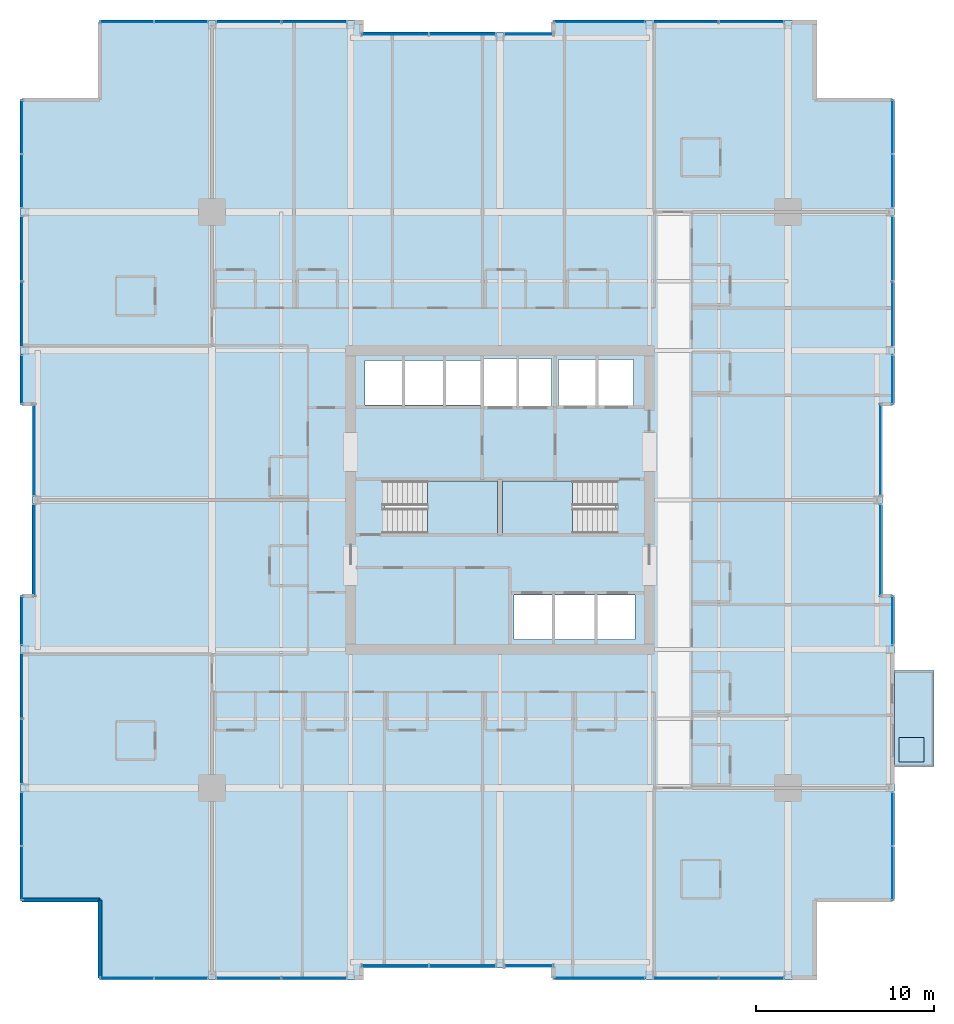
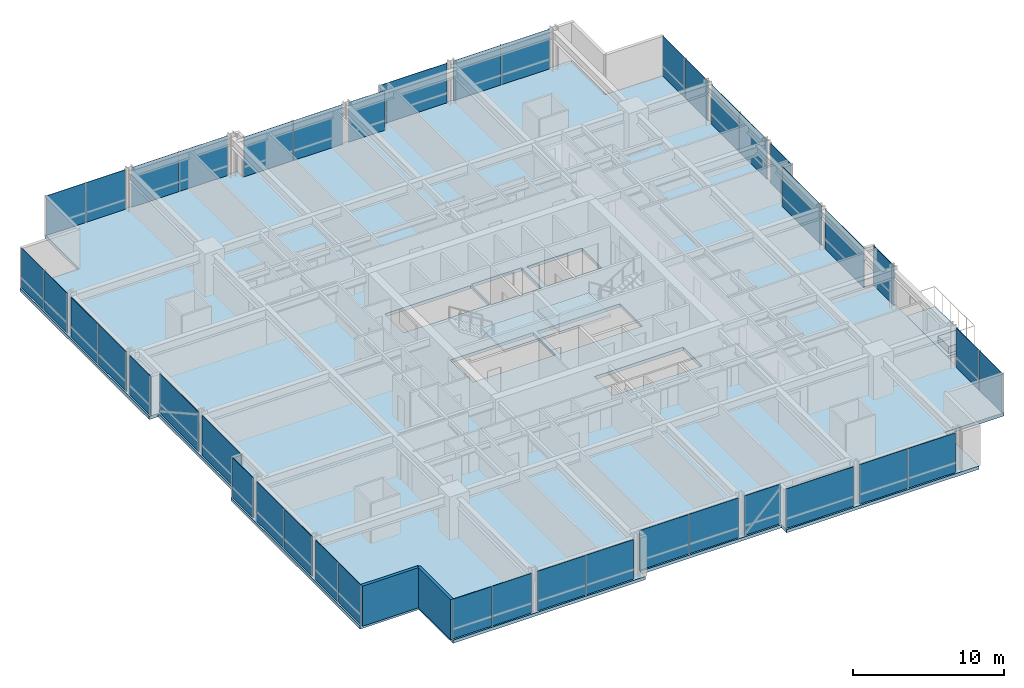
# One storey, part 27 of 35: 42 plates, 5 slabs, 2 walls, 29 elements without a shape of their own.
"""IFC4 building model written with IfcOpenShell, lengths in metres."""

from ifc_helpers import new_model, si_unit, direction, frame, frame_2d, origin, origin_2d, place, context, subcontext, project, spatial, polyline, rectangle, outline, extrude, material, layer, layer_set, type_object, element, aggregate, save


model = new_model("IFC4")

# Units and contexts
model_context = context("Model", 3, precision=1e-05, world=origin(), true_north=direction((0.0, 1.0)))
body_context = subcontext(model_context, "Body", "Model", "MODEL_VIEW")
ifc_project = project(units=[si_unit("LENGTHUNIT", "METRE"), si_unit("AREAUNIT", "SQUARE_METRE"), si_unit("VOLUMEUNIT", "CUBIC_METRE"), si_unit("PLANEANGLEUNIT", "RADIAN"), si_unit("MASSUNIT", "GRAM", prefix="KILO")], contexts=[model_context])

# Site, building, storey
site_placement = place(None, origin())
site = spatial("IfcSite", under=ifc_project, at=site_placement, CompositionType="ELEMENT")
building_placement = place(site_placement, origin())
building = spatial("IfcBuilding", under=site, at=building_placement, Name="Drelvath Grand Hotel", CompositionType="ELEMENT")
storey_placement = place(building_placement, frame((0.0, 0.0, 95.300048828125)))
storey = spatial("IfcBuildingStorey", under=building, at=storey_placement, Name="L23", CompositionType="ELEMENT", Elevation=95.300048828125)

# Slabs
ifc_material_1 = material(Name="Concrete f'c 40 MPa", Category="concrete")
ifc_layer_1 = layer(ifc_material_1, 0.239990234375)
ifc_layer_set_1 = layer_set([ifc_layer_1], Name="Concrete f'c 40 MPa")
slab_type_1 = type_object("IfcSlabType", Name="Cantilevered Tree Balcony Slab 240", PredefinedType="FLOOR", material=ifc_layer_set_1)
slab_1_placement = place(storey_placement, frame((0.0, 0.0, -0.239990234375)))
element("IfcSlab", 1, at=slab_1_placement, inside=storey, type_object=slab_type_1, Name="L23 Cantilevered Tree Balcony Slab 1", PredefinedType="FLOOR", context=body_context, shape_type="SweptSolid", body=[
    extrude(outline(polyline([(22.199951171875, 12.0), (24.39990234375, 12.0), (24.39990234375, 17.39990234375), (22.199951171875, 17.39990234375), (22.199951171875, 12.0)])), origin(), (0.0, 0.0, 1.0), 0.239990234375),
])
ifc_layer_2 = layer(ifc_material_1, 0.260009765625)
ifc_layer_set_2 = layer_set([ifc_layer_2], Name="Concrete f'c 40 MPa")
slab_type_2 = type_object("IfcSlabType", Name="Composite RC Floor Slab 260", PredefinedType="FLOOR", material=ifc_layer_set_2)
slab_2_placement = place(storey_placement, frame((0.0, 0.0, -0.260009765625)))
element("IfcSlab", 2, at=slab_2_placement, inside=storey, type_object=slab_type_2, Name="L23 Structural Floor Slab", PredefinedType="FLOOR", context=body_context, shape_type="SweptSolid", body=[
    extrude(outline(polyline([(-22.5, 0.0), (-7.800048828125, 0.0), (-7.800048828125, 0.679931640625), (3.0, 0.679931640625), (3.0, 0.0), (17.699951171875, 0.0), (17.699951171875, 4.5), (22.199951171875, 4.5), (22.199951171875, 21.60009765625), (21.52001953125, 21.60009765625), (21.52001953125, 32.39990234375), (22.199951171875, 32.39990234375), (22.199951171875, 49.5), (17.699951171875, 49.5), (17.699951171875, 54.0), (3.0, 54.0), (3.0, 53.320068359375), (-7.800048828125, 53.320068359375), (-7.800048828125, 54.0), (-22.5, 54.0), (-22.5, 49.5), (-27.0, 49.5), (-27.0, 32.39990234375), (-26.320068359375, 32.39990234375), (-26.320068359375, 21.60009765625), (-27.0, 21.60009765625), (-27.0, 4.5), (-22.5, 4.5), (-22.5, 0.0)]), holes=[polyline([(-6.47998046875, 25.1201171875), (-6.47998046875, 28.080078125), (-0.14990234375, 28.080078125), (-0.14990234375, 25.1201171875), (-6.47998046875, 25.1201171875)]), polyline([(0.14990234375, 25.1201171875), (0.14990234375, 28.080078125), (6.47998046875, 28.080078125), (6.47998046875, 25.1201171875), (0.14990234375, 25.1201171875)]), polyline([(0.800048828125, 19.14990234375), (0.800048828125, 21.64990234375), (7.60009765625, 21.64990234375), (7.60009765625, 19.14990234375), (0.800048828125, 19.14990234375)]), polyline([(-7.60009765625, 32.35009765625), (-7.60009765625, 34.85009765625), (-1.02001953125, 34.85009765625), (-1.02001953125, 32.35009765625), (-7.60009765625, 32.35009765625)]), polyline([(-0.89990234375, 32.25), (-0.89990234375, 34.949951171875), (2.89990234375, 34.949951171875), (2.89990234375, 32.25), (-0.89990234375, 32.25)]), polyline([(3.300048828125, 32.300048828125), (3.300048828125, 34.89990234375), (7.5, 34.89990234375), (7.5, 32.300048828125), (3.300048828125, 32.300048828125)])]), origin(), (0.0, 0.0, 1.0), 0.260009765625),
])

# Stair, slab
ifc_material_2 = material(Name="Concrete C40/50", Category="concrete")
stair_type = type_object("IfcStairType", Name="Dogleg Exit Stair W1400-R175.0", PredefinedType="HALF_TURN_STAIR", material=ifc_material_2)
stair_1_placement = place(storey_placement, origin())
stair_1 = element("IfcStair", 3, at=stair_1_placement, inside=storey, type_object=stair_type, Name="L23 Core Exit Stair ST-1", PredefinedType="HALF_TURN_STAIR")
ifc_layer_3 = layer(ifc_material_2, 0.199951171875)
ifc_layer_set_3 = layer_set([ifc_layer_3], Name="Concrete C40/50")
slab_type_3 = type_object("IfcSlabType", Name="Concrete Stair Landing Slab 200", PredefinedType="LANDING", material=ifc_layer_set_3)
slab_3_placement = place(storey_placement, frame((0.0, 0.0, 1.550048828125)))
slab_3 = element("IfcSlab", 4, at=slab_3_placement, type_object=slab_type_3, Name="ST-1 landing 1", PredefinedType="LANDING", context=body_context, shape_type="SweptSolid", body=[
    extrude(outline(polyline([(-4.080078125, 25.1201171875), (-0.14990234375, 25.1201171875), (-0.14990234375, 28.080078125), (-4.080078125, 28.080078125), (-4.080078125, 25.1201171875)])), origin(), (0.0, 0.0, 1.0), 0.199951171875),
])
aggregate(stair_1, [slab_3])

stair_2_placement = place(storey_placement, origin())
stair_2 = element("IfcStair", 5, at=stair_2_placement, inside=storey, type_object=stair_type, Name="L23 Core Exit Stair ST-2", PredefinedType="HALF_TURN_STAIR")
slab_4_placement = place(storey_placement, frame((0.0, 0.0, 1.550048828125)))
slab_4 = element("IfcSlab", 6, at=slab_4_placement, type_object=slab_type_3, Name="ST-2 landing 1", PredefinedType="LANDING", context=body_context, shape_type="SweptSolid", body=[
    extrude(outline(polyline([(4.080078125, 28.080078125), (0.14990234375, 28.080078125), (0.14990234375, 25.1201171875), (4.080078125, 25.1201171875), (4.080078125, 28.080078125)])), origin(), (0.0, 0.0, 1.0), 0.199951171875),
])
aggregate(stair_2, [slab_4])

# Curtain wall, plates
ifc_material_3 = material(Name="Champagne Bronze Anodised Aluminium Frame", Category="aluminium")
ifc_layer_4 = layer(ifc_material_3, 0.199951171875)
ifc_layer_set_4 = layer_set([ifc_layer_4], Name="Champagne Bronze Anodised Aluminium Frame")
curtain_wall_type = type_object("IfcCurtainWallType", Name="Stick Curtain Wall CW-03 Champagne Bronze Mid-Rise", PredefinedType="NOTDEFINED", material=ifc_layer_set_4)
curtain_wall_1_placement = place(storey_placement, origin())
curtain_wall_1 = element("IfcCurtainWall", 7, at=curtain_wall_1_placement, inside=storey, type_object=curtain_wall_type, Name="L23 CW-03 Curtain Wall CW03-L23-WS1", PredefinedType="NOTDEFINED")
ifc_material_4 = material(Name="Low-E Triple Silver Vision Glass Neutral", Category="glass")
ifc_layer_5 = layer(ifc_material_4, 0.035888671875)
ifc_layer_set_5 = layer_set([ifc_layer_5], Name="Low-E Triple Silver Vision Glass Neutral")
plate_type = type_object("IfcPlateType", Name="Curtain Wall Vision Panel CW-03 36mm", PredefinedType="CURTAIN_PANEL", material=ifc_layer_set_5)
plate_1_placement = place(storey_placement, frame((-26.8798828125, 6.02001953125, 0.02001953125), z_axis=(0.0, 0.0, 1.0), x_axis=(0.0, 1.0, 0.0)))
plate_1 = element("IfcPlate", 8, at=plate_1_placement, type_object=plate_type, Name="CW03-L23-WS1 Glazed Panel 1", PredefinedType="CURTAIN_PANEL", context=body_context, shape_type="SweptSolid", body=[
    extrude(rectangle(XDim=3.000244140625, YDim=0.035888671875, at=origin_2d()), origin(), (0.0, 0.0, 1.0), 3.199951171875),
])
plate_2_placement = place(storey_placement, frame((-26.8798828125, 9.060302734375, 0.02001953125), z_axis=(0.0, 0.0, 1.0), x_axis=(0.0, 1.0, 0.0)))
plate_2 = element("IfcPlate", 9, at=plate_2_placement, type_object=plate_type, Name="CW03-L23-WS1 Glazed Panel 2", PredefinedType="CURTAIN_PANEL", context=body_context, shape_type="SweptSolid", body=[
    extrude(rectangle(XDim=3.000244140625, YDim=0.035888671875, at=origin_2d()), origin(), (0.0, 0.0, 1.0), 3.199951171875),
])
aggregate(curtain_wall_1, [plate_1, plate_2])

curtain_wall_2_placement = place(storey_placement, origin())
curtain_wall_2 = element("IfcCurtainWall", 10, at=curtain_wall_2_placement, inside=storey, type_object=curtain_wall_type, Name="L23 CW-03 Curtain Wall CW03-L23-WS2", PredefinedType="NOTDEFINED")
plate_3_placement = place(storey_placement, frame((-26.8798828125, 12.85986328125, 0.02001953125), z_axis=(0.0, 0.0, 1.0), x_axis=(0.0, 1.0, 0.0)))
plate_3 = element("IfcPlate", 11, at=plate_3_placement, type_object=plate_type, Name="CW03-L23-WS2 Glazed Panel 1", PredefinedType="CURTAIN_PANEL", context=body_context, shape_type="SweptSolid", body=[
    extrude(rectangle(XDim=3.640380859375, YDim=0.035888671875, at=origin_2d()), origin(), (0.0, 0.0, 1.0), 3.199951171875),
])
plate_4_placement = place(storey_placement, frame((-26.8798828125, 16.540283203125, 0.02001953125), z_axis=(0.0, 0.0, 1.0), x_axis=(0.0, 1.0, 0.0)))
plate_4 = element("IfcPlate", 12, at=plate_4_placement, type_object=plate_type, Name="CW03-L23-WS2 Glazed Panel 2", PredefinedType="CURTAIN_PANEL", context=body_context, shape_type="SweptSolid", body=[
    extrude(rectangle(XDim=3.640380859375, YDim=0.035888671875, at=origin_2d()), origin(), (0.0, 0.0, 1.0), 3.199951171875),
])
aggregate(curtain_wall_2, [plate_3, plate_4])

# Curtain wall, plate
curtain_wall_3_placement = place(storey_placement, origin())
curtain_wall_3 = element("IfcCurtainWall", 13, at=curtain_wall_3_placement, inside=storey, type_object=curtain_wall_type, Name="L23 CW-03 Curtain Wall CW03-L23-WS3", PredefinedType="NOTDEFINED")
plate_5_placement = place(storey_placement, frame((-26.8798828125, 20.209716796875, 0.02001953125), z_axis=(0.0, 0.0, 1.0), x_axis=(0.0, 1.0, 0.0)))
plate_5 = element("IfcPlate", 14, at=plate_5_placement, type_object=plate_type, Name="CW03-L23-WS3 Glazed Panel 1", PredefinedType="CURTAIN_PANEL", context=body_context, shape_type="SweptSolid", body=[
    extrude(rectangle(XDim=2.740478515625, YDim=0.035888671875, at=origin_2d()), origin(), (0.0, 0.0, 1.0), 3.199951171875),
])
aggregate(curtain_wall_3, [plate_5])

curtain_wall_4_placement = place(storey_placement, origin())
curtain_wall_4 = element("IfcCurtainWall", 15, at=curtain_wall_4_placement, inside=storey, type_object=curtain_wall_type, Name="L23 CW-03 Curtain Wall CW03-L23-WM1", PredefinedType="NOTDEFINED")
plate_6_placement = place(storey_placement, frame((-26.199951171875, 24.190185546875, 0.02001953125), z_axis=(0.0, 0.0, 1.0), x_axis=(0.0, 1.0, 0.0)))
plate_6 = element("IfcPlate", 16, at=plate_6_placement, type_object=plate_type, Name="CW03-L23-WM1 Glazed Panel 1", PredefinedType="CURTAIN_PANEL", context=body_context, shape_type="SweptSolid", body=[
    extrude(rectangle(XDim=5.140380859375, YDim=0.035888671875, at=origin_2d()), origin(), (0.0, 0.0, 1.0), 3.199951171875),
])
aggregate(curtain_wall_4, [plate_6])

curtain_wall_5_placement = place(storey_placement, origin())
curtain_wall_5 = element("IfcCurtainWall", 17, at=curtain_wall_5_placement, inside=storey, type_object=curtain_wall_type, Name="L23 CW-03 Curtain Wall CW03-L23-WM2", PredefinedType="NOTDEFINED")
plate_7_placement = place(storey_placement, frame((-26.199951171875, 29.809814453125, 0.02001953125), z_axis=(0.0, 0.0, 1.0), x_axis=(0.0, 1.0, 0.0)))
plate_7 = element("IfcPlate", 18, at=plate_7_placement, type_object=plate_type, Name="CW03-L23-WM2 Glazed Panel 1", PredefinedType="CURTAIN_PANEL", context=body_context, shape_type="SweptSolid", body=[
    extrude(rectangle(XDim=5.140380859375, YDim=0.035888671875, at=origin_2d()), origin(), (0.0, 0.0, 1.0), 3.199951171875),
])
aggregate(curtain_wall_5, [plate_7])

curtain_wall_6_placement = place(storey_placement, origin())
curtain_wall_6 = element("IfcCurtainWall", 19, at=curtain_wall_6_placement, inside=storey, type_object=curtain_wall_type, Name="L23 CW-03 Curtain Wall CW03-L23-WN1", PredefinedType="NOTDEFINED")
plate_8_placement = place(storey_placement, frame((-26.8798828125, 33.790283203125, 0.02001953125), z_axis=(0.0, 0.0, 1.0), x_axis=(0.0, 1.0, 0.0)))
plate_8 = element("IfcPlate", 20, at=plate_8_placement, type_object=plate_type, Name="CW03-L23-WN1 Glazed Panel 1", PredefinedType="CURTAIN_PANEL", context=body_context, shape_type="SweptSolid", body=[
    extrude(rectangle(XDim=2.740478515625, YDim=0.035888671875, at=origin_2d()), origin(), (0.0, 0.0, 1.0), 3.199951171875),
])
aggregate(curtain_wall_6, [plate_8])

# Curtain wall, plates
curtain_wall_7_placement = place(storey_placement, origin())
curtain_wall_7 = element("IfcCurtainWall", 21, at=curtain_wall_7_placement, inside=storey, type_object=curtain_wall_type, Name="L23 CW-03 Curtain Wall CW03-L23-WN2", PredefinedType="NOTDEFINED")
plate_9_placement = place(storey_placement, frame((-26.8798828125, 37.459716796875, 0.02001953125), z_axis=(0.0, 0.0, 1.0), x_axis=(0.0, 1.0, 0.0)))
plate_9 = element("IfcPlate", 22, at=plate_9_placement, type_object=plate_type, Name="CW03-L23-WN2 Glazed Panel 1", PredefinedType="CURTAIN_PANEL", context=body_context, shape_type="SweptSolid", body=[
    extrude(rectangle(XDim=3.640380859375, YDim=0.035888671875, at=origin_2d()), origin(), (0.0, 0.0, 1.0), 3.199951171875),
])
plate_10_placement = place(storey_placement, frame((-26.8798828125, 41.14013671875, 0.02001953125), z_axis=(0.0, 0.0, 1.0), x_axis=(0.0, 1.0, 0.0)))
plate_10 = element("IfcPlate", 23, at=plate_10_placement, type_object=plate_type, Name="CW03-L23-WN2 Glazed Panel 2", PredefinedType="CURTAIN_PANEL", context=body_context, shape_type="SweptSolid", body=[
    extrude(rectangle(XDim=3.640380859375, YDim=0.035888671875, at=origin_2d()), origin(), (0.0, 0.0, 1.0), 3.199951171875),
])
aggregate(curtain_wall_7, [plate_9, plate_10])

curtain_wall_8_placement = place(storey_placement, origin())
curtain_wall_8 = element("IfcCurtainWall", 24, at=curtain_wall_8_placement, inside=storey, type_object=curtain_wall_type, Name="L23 CW-03 Curtain Wall CW03-L23-WN3", PredefinedType="NOTDEFINED")
plate_11_placement = place(storey_placement, frame((-26.8798828125, 44.939697265625, 0.02001953125), z_axis=(0.0, 0.0, 1.0), x_axis=(0.0, 1.0, 0.0)))
plate_11 = element("IfcPlate", 25, at=plate_11_placement, type_object=plate_type, Name="CW03-L23-WN3 Glazed Panel 1", PredefinedType="CURTAIN_PANEL", context=body_context, shape_type="SweptSolid", body=[
    extrude(rectangle(XDim=3.000244140625, YDim=0.035888671875, at=origin_2d()), origin(), (0.0, 0.0, 1.0), 3.199951171875),
])
plate_12_placement = place(storey_placement, frame((-26.8798828125, 47.97998046875, 0.02001953125), z_axis=(0.0, 0.0, 1.0), x_axis=(0.0, 1.0, 0.0)))
plate_12 = element("IfcPlate", 26, at=plate_12_placement, type_object=plate_type, Name="CW03-L23-WN3 Glazed Panel 2", PredefinedType="CURTAIN_PANEL", context=body_context, shape_type="SweptSolid", body=[
    extrude(rectangle(XDim=3.000244140625, YDim=0.035888671875, at=origin_2d()), origin(), (0.0, 0.0, 1.0), 3.199951171875),
])
aggregate(curtain_wall_8, [plate_11, plate_12])

# Curtain wall, plate
curtain_wall_9_placement = place(storey_placement, origin())
curtain_wall_9 = element("IfcCurtainWall", 27, at=curtain_wall_9_placement, inside=storey, type_object=curtain_wall_type, Name="L23 CW-03 Curtain Wall CW03-L23-EN1", PredefinedType="NOTDEFINED")
plate_13_placement = place(storey_placement, frame((22.080078125, 33.790283203125, 0.02001953125), z_axis=(0.0, 0.0, 1.0), x_axis=(0.0, -1.0, 0.0)))
plate_13 = element("IfcPlate", 28, at=plate_13_placement, type_object=plate_type, Name="CW03-L23-EN1 Glazed Panel 1", PredefinedType="CURTAIN_PANEL", context=body_context, shape_type="SweptSolid", body=[
    extrude(rectangle(XDim=2.740478515625, YDim=0.035888671875, at=origin_2d()), origin(), (0.0, 0.0, 1.0), 3.199951171875),
])
aggregate(curtain_wall_9, [plate_13])

# Curtain wall, plates
curtain_wall_10_placement = place(storey_placement, origin())
curtain_wall_10 = element("IfcCurtainWall", 29, at=curtain_wall_10_placement, inside=storey, type_object=curtain_wall_type, Name="L23 CW-03 Curtain Wall CW03-L23-EN2", PredefinedType="NOTDEFINED")
plate_14_placement = place(storey_placement, frame((22.080078125, 41.14013671875, 0.02001953125), z_axis=(0.0, 0.0, 1.0), x_axis=(0.0, -1.0, 0.0)))
plate_14 = element("IfcPlate", 30, at=plate_14_placement, type_object=plate_type, Name="CW03-L23-EN2 Glazed Panel 1", PredefinedType="CURTAIN_PANEL", context=body_context, shape_type="SweptSolid", body=[
    extrude(rectangle(XDim=3.640380859375, YDim=0.035888671875, at=origin_2d()), origin(), (0.0, 0.0, 1.0), 3.199951171875),
])
plate_15_placement = place(storey_placement, frame((22.080078125, 37.459716796875, 0.02001953125), z_axis=(0.0, 0.0, 1.0), x_axis=(0.0, -1.0, 0.0)))
plate_15 = element("IfcPlate", 31, at=plate_15_placement, type_object=plate_type, Name="CW03-L23-EN2 Glazed Panel 2", PredefinedType="CURTAIN_PANEL", context=body_context, shape_type="SweptSolid", body=[
    extrude(rectangle(XDim=3.640380859375, YDim=0.035888671875, at=origin_2d()), origin(), (0.0, 0.0, 1.0), 3.199951171875),
])
aggregate(curtain_wall_10, [plate_14, plate_15])

curtain_wall_11_placement = place(storey_placement, origin())
curtain_wall_11 = element("IfcCurtainWall", 32, at=curtain_wall_11_placement, inside=storey, type_object=curtain_wall_type, Name="L23 CW-03 Curtain Wall CW03-L23-EN3", PredefinedType="NOTDEFINED")
plate_16_placement = place(storey_placement, frame((22.080078125, 47.97998046875, 0.02001953125), z_axis=(0.0, 0.0, 1.0), x_axis=(0.0, -1.0, 0.0)))
plate_16 = element("IfcPlate", 33, at=plate_16_placement, type_object=plate_type, Name="CW03-L23-EN3 Glazed Panel 1", PredefinedType="CURTAIN_PANEL", context=body_context, shape_type="SweptSolid", body=[
    extrude(rectangle(XDim=3.000244140625, YDim=0.035888671875, at=origin_2d()), origin(), (0.0, 0.0, 1.0), 3.199951171875),
])
plate_17_placement = place(storey_placement, frame((22.080078125, 44.939697265625, 0.02001953125), z_axis=(0.0, 0.0, 1.0), x_axis=(0.0, -1.0, 0.0)))
plate_17 = element("IfcPlate", 34, at=plate_17_placement, type_object=plate_type, Name="CW03-L23-EN3 Glazed Panel 2", PredefinedType="CURTAIN_PANEL", context=body_context, shape_type="SweptSolid", body=[
    extrude(rectangle(XDim=3.000244140625, YDim=0.035888671875, at=origin_2d()), origin(), (0.0, 0.0, 1.0), 3.199951171875),
])
aggregate(curtain_wall_11, [plate_16, plate_17])

# Curtain wall, plate
curtain_wall_12_placement = place(storey_placement, origin())
curtain_wall_12 = element("IfcCurtainWall", 35, at=curtain_wall_12_placement, inside=storey, type_object=curtain_wall_type, Name="L23 CW-03 Curtain Wall CW03-L23-EM1", PredefinedType="NOTDEFINED")
plate_18_placement = place(storey_placement, frame((21.39990234375, 24.190185546875, 0.02001953125), z_axis=(0.0, 0.0, 1.0), x_axis=(0.0, -1.0, 0.0)))
plate_18 = element("IfcPlate", 36, at=plate_18_placement, type_object=plate_type, Name="CW03-L23-EM1 Glazed Panel 1", PredefinedType="CURTAIN_PANEL", context=body_context, shape_type="SweptSolid", body=[
    extrude(rectangle(XDim=5.140380859375, YDim=0.035888671875, at=origin_2d()), origin(), (0.0, 0.0, 1.0), 3.199951171875),
])
aggregate(curtain_wall_12, [plate_18])

curtain_wall_13_placement = place(storey_placement, origin())
curtain_wall_13 = element("IfcCurtainWall", 37, at=curtain_wall_13_placement, inside=storey, type_object=curtain_wall_type, Name="L23 CW-03 Curtain Wall CW03-L23-EM2", PredefinedType="NOTDEFINED")
plate_19_placement = place(storey_placement, frame((21.39990234375, 29.809814453125, 0.02001953125), z_axis=(0.0, 0.0, 1.0), x_axis=(0.0, -1.0, 0.0)))
plate_19 = element("IfcPlate", 38, at=plate_19_placement, type_object=plate_type, Name="CW03-L23-EM2 Glazed Panel 1", PredefinedType="CURTAIN_PANEL", context=body_context, shape_type="SweptSolid", body=[
    extrude(rectangle(XDim=5.140380859375, YDim=0.035888671875, at=origin_2d()), origin(), (0.0, 0.0, 1.0), 3.199951171875),
])
aggregate(curtain_wall_13, [plate_19])

# Curtain wall, plates
curtain_wall_14_placement = place(storey_placement, origin())
curtain_wall_14 = element("IfcCurtainWall", 39, at=curtain_wall_14_placement, inside=storey, type_object=curtain_wall_type, Name="L23 CW-03 Curtain Wall CW03-L23-ES1", PredefinedType="NOTDEFINED")
plate_20_placement = place(storey_placement, frame((22.080078125, 9.060302734375, 0.02001953125), z_axis=(0.0, 0.0, 1.0), x_axis=(0.0, -1.0, 0.0)))
plate_20 = element("IfcPlate", 40, at=plate_20_placement, type_object=plate_type, Name="CW03-L23-ES1 Glazed Panel 1", PredefinedType="CURTAIN_PANEL", context=body_context, shape_type="SweptSolid", body=[
    extrude(rectangle(XDim=3.000244140625, YDim=0.035888671875, at=origin_2d()), origin(), (0.0, 0.0, 1.0), 3.199951171875),
])
plate_21_placement = place(storey_placement, frame((22.080078125, 6.02001953125, 0.02001953125), z_axis=(0.0, 0.0, 1.0), x_axis=(0.0, -1.0, 0.0)))
plate_21 = element("IfcPlate", 41, at=plate_21_placement, type_object=plate_type, Name="CW03-L23-ES1 Glazed Panel 2", PredefinedType="CURTAIN_PANEL", context=body_context, shape_type="SweptSolid", body=[
    extrude(rectangle(XDim=3.000244140625, YDim=0.035888671875, at=origin_2d()), origin(), (0.0, 0.0, 1.0), 3.199951171875),
])
aggregate(curtain_wall_14, [plate_20, plate_21])

# Curtain wall, plate
curtain_wall_15_placement = place(storey_placement, origin())
curtain_wall_15 = element("IfcCurtainWall", 42, at=curtain_wall_15_placement, inside=storey, type_object=curtain_wall_type, Name="L23 CW-03 Curtain Wall CW03-L23-ES3", PredefinedType="NOTDEFINED")
plate_22_placement = place(storey_placement, frame((22.080078125, 20.209716796875, 0.02001953125), z_axis=(0.0, 0.0, 1.0), x_axis=(0.0, -1.0, 0.0)))
plate_22 = element("IfcPlate", 43, at=plate_22_placement, type_object=plate_type, Name="CW03-L23-ES3 Glazed Panel 1", PredefinedType="CURTAIN_PANEL", context=body_context, shape_type="SweptSolid", body=[
    extrude(rectangle(XDim=2.740478515625, YDim=0.035888671875, at=origin_2d()), origin(), (0.0, 0.0, 1.0), 3.199951171875),
])
aggregate(curtain_wall_15, [plate_22])

# Curtain wall, plates
curtain_wall_16_placement = place(storey_placement, origin())
curtain_wall_16 = element("IfcCurtainWall", 44, at=curtain_wall_16_placement, inside=storey, type_object=curtain_wall_type, Name="L23 CW-03 Curtain Wall CW03-L23-NW1", PredefinedType="NOTDEFINED")
plate_23_placement = place(storey_placement, frame((-20.97998046875, 53.8798828125, 0.02001953125), z_axis=(0.0, 0.0, 1.0), x_axis=(1.0, 0.0, 0.0)))
plate_23 = element("IfcPlate", 45, at=plate_23_placement, type_object=plate_type, Name="CW03-L23-NW1 Glazed Panel 1", PredefinedType="CURTAIN_PANEL", context=body_context, shape_type="SweptSolid", body=[
    extrude(rectangle(XDim=3.000244140625, YDim=0.035888671875, at=origin_2d()), origin(), (0.0, 0.0, 1.0), 3.199951171875),
])
plate_24_placement = place(storey_placement, frame((-17.939697265625, 53.8798828125, 0.02001953125), z_axis=(0.0, 0.0, 1.0), x_axis=(1.0, 0.0, 0.0)))
plate_24 = element("IfcPlate", 46, at=plate_24_placement, type_object=plate_type, Name="CW03-L23-NW1 Glazed Panel 2", PredefinedType="CURTAIN_PANEL", context=body_context, shape_type="SweptSolid", body=[
    extrude(rectangle(XDim=3.000244140625, YDim=0.035888671875, at=origin_2d()), origin(), (0.0, 0.0, 1.0), 3.199951171875),
])
aggregate(curtain_wall_16, [plate_23, plate_24])

curtain_wall_17_placement = place(storey_placement, origin())
curtain_wall_17 = element("IfcCurtainWall", 47, at=curtain_wall_17_placement, inside=storey, type_object=curtain_wall_type, Name="L23 CW-03 Curtain Wall CW03-L23-NW2", PredefinedType="NOTDEFINED")
plate_25_placement = place(storey_placement, frame((-14.14013671875, 53.8798828125, 0.02001953125), z_axis=(0.0, 0.0, 1.0), x_axis=(1.0, 0.0, 0.0)))
plate_25 = element("IfcPlate", 48, at=plate_25_placement, type_object=plate_type, Name="CW03-L23-NW2 Glazed Panel 1", PredefinedType="CURTAIN_PANEL", context=body_context, shape_type="SweptSolid", body=[
    extrude(rectangle(XDim=3.640380859375, YDim=0.035888671875, at=origin_2d()), origin(), (0.0, 0.0, 1.0), 3.199951171875),
])
plate_26_placement = place(storey_placement, frame((-10.459716796875, 53.8798828125, 0.02001953125), z_axis=(0.0, 0.0, 1.0), x_axis=(1.0, 0.0, 0.0)))
plate_26 = element("IfcPlate", 49, at=plate_26_placement, type_object=plate_type, Name="CW03-L23-NW2 Glazed Panel 2", PredefinedType="CURTAIN_PANEL", context=body_context, shape_type="SweptSolid", body=[
    extrude(rectangle(XDim=3.640380859375, YDim=0.035888671875, at=origin_2d()), origin(), (0.0, 0.0, 1.0), 3.199951171875),
])
aggregate(curtain_wall_17, [plate_25, plate_26])

curtain_wall_18_placement = place(storey_placement, origin())
curtain_wall_18 = element("IfcCurtainWall", 50, at=curtain_wall_18_placement, inside=storey, type_object=curtain_wall_type, Name="L23 CW-03 Curtain Wall CW03-L23-NM1", PredefinedType="NOTDEFINED")
plate_27_placement = place(storey_placement, frame((-5.90478515625, 53.199951171875, 0.02001953125), z_axis=(0.0, 0.0, 1.0), x_axis=(1.0, 0.0, 0.0)))
plate_27 = element("IfcPlate", 51, at=plate_27_placement, type_object=plate_type, Name="CW03-L23-NM1 Glazed Panel 1", PredefinedType="CURTAIN_PANEL", context=body_context, shape_type="SweptSolid", body=[
    extrude(rectangle(XDim=3.750244140625, YDim=0.035888671875, at=origin_2d()), origin(), (0.0, 0.0, 1.0), 3.199951171875),
])
plate_28_placement = place(storey_placement, frame((-2.11474609375, 53.199951171875, 0.02001953125), z_axis=(0.0, 0.0, 1.0), x_axis=(1.0, 0.0, 0.0)))
plate_28 = element("IfcPlate", 52, at=plate_28_placement, type_object=plate_type, Name="CW03-L23-NM1 Glazed Panel 2", PredefinedType="CURTAIN_PANEL", context=body_context, shape_type="SweptSolid", body=[
    extrude(rectangle(XDim=3.750244140625, YDim=0.035888671875, at=origin_2d()), origin(), (0.0, 0.0, 1.0), 3.199951171875),
])
aggregate(curtain_wall_18, [plate_27, plate_28])

# Curtain wall, plate
curtain_wall_19_placement = place(storey_placement, origin())
curtain_wall_19 = element("IfcCurtainWall", 53, at=curtain_wall_19_placement, inside=storey, type_object=curtain_wall_type, Name="L23 CW-03 Curtain Wall CW03-L23-NM2", PredefinedType="NOTDEFINED")
plate_29_placement = place(storey_placement, frame((1.60986328125, 53.199951171875, 0.02001953125), z_axis=(0.0, 0.0, 1.0), x_axis=(1.0, 0.0, 0.0)))
plate_29 = element("IfcPlate", 54, at=plate_29_placement, type_object=plate_type, Name="CW03-L23-NM2 Glazed Panel 1", PredefinedType="CURTAIN_PANEL", context=body_context, shape_type="SweptSolid", body=[
    extrude(rectangle(XDim=2.740478515625, YDim=0.035888671875, at=origin_2d()), origin(), (0.0, 0.0, 1.0), 3.199951171875),
])
aggregate(curtain_wall_19, [plate_29])

curtain_wall_20_placement = place(storey_placement, origin())
curtain_wall_20 = element("IfcCurtainWall", 55, at=curtain_wall_20_placement, inside=storey, type_object=curtain_wall_type, Name="L23 CW-03 Curtain Wall CW03-L23-NE1", PredefinedType="NOTDEFINED")
plate_30_placement = place(storey_placement, frame((5.590087890625, 53.8798828125, 0.02001953125), z_axis=(0.0, 0.0, 1.0), x_axis=(1.0, 0.0, 0.0)))
plate_30 = element("IfcPlate", 56, at=plate_30_placement, type_object=plate_type, Name="CW03-L23-NE1 Glazed Panel 1", PredefinedType="CURTAIN_PANEL", context=body_context, shape_type="SweptSolid", body=[
    extrude(rectangle(XDim=5.140380859375, YDim=0.035888671875, at=origin_2d()), origin(), (0.0, 0.0, 1.0), 3.199951171875),
])
aggregate(curtain_wall_20, [plate_30])

# Curtain wall, plates
curtain_wall_21_placement = place(storey_placement, origin())
curtain_wall_21 = element("IfcCurtainWall", 57, at=curtain_wall_21_placement, inside=storey, type_object=curtain_wall_type, Name="L23 CW-03 Curtain Wall CW03-L23-NE2", PredefinedType="NOTDEFINED")
plate_31_placement = place(storey_placement, frame((10.459716796875, 53.8798828125, 0.02001953125), z_axis=(0.0, 0.0, 1.0), x_axis=(1.0, 0.0, 0.0)))
plate_31 = element("IfcPlate", 58, at=plate_31_placement, type_object=plate_type, Name="CW03-L23-NE2 Glazed Panel 1", PredefinedType="CURTAIN_PANEL", context=body_context, shape_type="SweptSolid", body=[
    extrude(rectangle(XDim=3.640380859375, YDim=0.035888671875, at=origin_2d()), origin(), (0.0, 0.0, 1.0), 3.199951171875),
])
plate_32_placement = place(storey_placement, frame((14.14013671875, 53.8798828125, 0.02001953125), z_axis=(0.0, 0.0, 1.0), x_axis=(1.0, 0.0, 0.0)))
plate_32 = element("IfcPlate", 59, at=plate_32_placement, type_object=plate_type, Name="CW03-L23-NE2 Glazed Panel 2", PredefinedType="CURTAIN_PANEL", context=body_context, shape_type="SweptSolid", body=[
    extrude(rectangle(XDim=3.640380859375, YDim=0.035888671875, at=origin_2d()), origin(), (0.0, 0.0, 1.0), 3.199951171875),
])
aggregate(curtain_wall_21, [plate_31, plate_32])

# Curtain wall, plate
curtain_wall_22_placement = place(storey_placement, origin())
curtain_wall_22 = element("IfcCurtainWall", 60, at=curtain_wall_22_placement, inside=storey, type_object=curtain_wall_type, Name="L23 CW-03 Curtain Wall CW03-L23-SE1", PredefinedType="NOTDEFINED")
plate_33_placement = place(storey_placement, frame((5.590087890625, 0.1201171875, 0.02001953125), z_axis=(0.0, 0.0, 1.0), x_axis=(-1.0, 0.0, 0.0)))
plate_33 = element("IfcPlate", 61, at=plate_33_placement, type_object=plate_type, Name="CW03-L23-SE1 Glazed Panel 1", PredefinedType="CURTAIN_PANEL", context=body_context, shape_type="SweptSolid", body=[
    extrude(rectangle(XDim=5.140380859375, YDim=0.035888671875, at=origin_2d()), origin(), (0.0, 0.0, 1.0), 3.199951171875),
])
aggregate(curtain_wall_22, [plate_33])

# Curtain wall, plates
curtain_wall_23_placement = place(storey_placement, origin())
curtain_wall_23 = element("IfcCurtainWall", 62, at=curtain_wall_23_placement, inside=storey, type_object=curtain_wall_type, Name="L23 CW-03 Curtain Wall CW03-L23-SE2", PredefinedType="NOTDEFINED")
plate_34_placement = place(storey_placement, frame((14.14013671875, 0.1201171875, 0.02001953125), z_axis=(0.0, 0.0, 1.0), x_axis=(-1.0, 0.0, 0.0)))
plate_34 = element("IfcPlate", 63, at=plate_34_placement, type_object=plate_type, Name="CW03-L23-SE2 Glazed Panel 1", PredefinedType="CURTAIN_PANEL", context=body_context, shape_type="SweptSolid", body=[
    extrude(rectangle(XDim=3.640380859375, YDim=0.035888671875, at=origin_2d()), origin(), (0.0, 0.0, 1.0), 3.199951171875),
])
plate_35_placement = place(storey_placement, frame((10.459716796875, 0.1201171875, 0.02001953125), z_axis=(0.0, 0.0, 1.0), x_axis=(-1.0, 0.0, 0.0)))
plate_35 = element("IfcPlate", 64, at=plate_35_placement, type_object=plate_type, Name="CW03-L23-SE2 Glazed Panel 2", PredefinedType="CURTAIN_PANEL", context=body_context, shape_type="SweptSolid", body=[
    extrude(rectangle(XDim=3.640380859375, YDim=0.035888671875, at=origin_2d()), origin(), (0.0, 0.0, 1.0), 3.199951171875),
])
aggregate(curtain_wall_23, [plate_34, plate_35])

curtain_wall_24_placement = place(storey_placement, origin())
curtain_wall_24 = element("IfcCurtainWall", 65, at=curtain_wall_24_placement, inside=storey, type_object=curtain_wall_type, Name="L23 CW-03 Curtain Wall CW03-L23-SM1", PredefinedType="NOTDEFINED")
plate_36_placement = place(storey_placement, frame((-2.11474609375, 0.800048828125, 0.02001953125), z_axis=(0.0, 0.0, 1.0), x_axis=(-1.0, 0.0, 0.0)))
plate_36 = element("IfcPlate", 66, at=plate_36_placement, type_object=plate_type, Name="CW03-L23-SM1 Glazed Panel 1", PredefinedType="CURTAIN_PANEL", context=body_context, shape_type="SweptSolid", body=[
    extrude(rectangle(XDim=3.750244140625, YDim=0.035888671875, at=origin_2d()), origin(), (0.0, 0.0, 1.0), 3.199951171875),
])
plate_37_placement = place(storey_placement, frame((-5.90478515625, 0.800048828125, 0.02001953125), z_axis=(0.0, 0.0, 1.0), x_axis=(-1.0, 0.0, 0.0)))
plate_37 = element("IfcPlate", 67, at=plate_37_placement, type_object=plate_type, Name="CW03-L23-SM1 Glazed Panel 2", PredefinedType="CURTAIN_PANEL", context=body_context, shape_type="SweptSolid", body=[
    extrude(rectangle(XDim=3.750244140625, YDim=0.035888671875, at=origin_2d()), origin(), (0.0, 0.0, 1.0), 3.199951171875),
])
aggregate(curtain_wall_24, [plate_36, plate_37])

# Curtain wall, plate
curtain_wall_25_placement = place(storey_placement, origin())
curtain_wall_25 = element("IfcCurtainWall", 68, at=curtain_wall_25_placement, inside=storey, type_object=curtain_wall_type, Name="L23 CW-03 Curtain Wall CW03-L23-SM2", PredefinedType="NOTDEFINED")
plate_38_placement = place(storey_placement, frame((1.60986328125, 0.800048828125, 0.02001953125), z_axis=(0.0, 0.0, 1.0), x_axis=(-1.0, 0.0, 0.0)))
plate_38 = element("IfcPlate", 69, at=plate_38_placement, type_object=plate_type, Name="CW03-L23-SM2 Glazed Panel 1", PredefinedType="CURTAIN_PANEL", context=body_context, shape_type="SweptSolid", body=[
    extrude(rectangle(XDim=2.740478515625, YDim=0.035888671875, at=origin_2d()), origin(), (0.0, 0.0, 1.0), 3.199951171875),
])
aggregate(curtain_wall_25, [plate_38])

# Curtain wall, plates
curtain_wall_26_placement = place(storey_placement, origin())
curtain_wall_26 = element("IfcCurtainWall", 70, at=curtain_wall_26_placement, inside=storey, type_object=curtain_wall_type, Name="L23 CW-03 Curtain Wall CW03-L23-SW1", PredefinedType="NOTDEFINED")
plate_39_placement = place(storey_placement, frame((-17.939697265625, 0.1201171875, 0.02001953125), z_axis=(0.0, 0.0, 1.0), x_axis=(-1.0, 0.0, 0.0)))
plate_39 = element("IfcPlate", 71, at=plate_39_placement, type_object=plate_type, Name="CW03-L23-SW1 Glazed Panel 1", PredefinedType="CURTAIN_PANEL", context=body_context, shape_type="SweptSolid", body=[
    extrude(rectangle(XDim=3.000244140625, YDim=0.035888671875, at=origin_2d()), origin(), (0.0, 0.0, 1.0), 3.199951171875),
])
plate_40_placement = place(storey_placement, frame((-20.97998046875, 0.1201171875, 0.02001953125), z_axis=(0.0, 0.0, 1.0), x_axis=(-1.0, 0.0, 0.0)))
plate_40 = element("IfcPlate", 72, at=plate_40_placement, type_object=plate_type, Name="CW03-L23-SW1 Glazed Panel 2", PredefinedType="CURTAIN_PANEL", context=body_context, shape_type="SweptSolid", body=[
    extrude(rectangle(XDim=3.000244140625, YDim=0.035888671875, at=origin_2d()), origin(), (0.0, 0.0, 1.0), 3.199951171875),
])
aggregate(curtain_wall_26, [plate_39, plate_40])

curtain_wall_27_placement = place(storey_placement, origin())
curtain_wall_27 = element("IfcCurtainWall", 73, at=curtain_wall_27_placement, inside=storey, type_object=curtain_wall_type, Name="L23 CW-03 Curtain Wall CW03-L23-SW2", PredefinedType="NOTDEFINED")
plate_41_placement = place(storey_placement, frame((-10.459716796875, 0.1201171875, 0.02001953125), z_axis=(0.0, 0.0, 1.0), x_axis=(-1.0, 0.0, 0.0)))
plate_41 = element("IfcPlate", 74, at=plate_41_placement, type_object=plate_type, Name="CW03-L23-SW2 Glazed Panel 1", PredefinedType="CURTAIN_PANEL", context=body_context, shape_type="SweptSolid", body=[
    extrude(rectangle(XDim=3.640380859375, YDim=0.035888671875, at=origin_2d()), origin(), (0.0, 0.0, 1.0), 3.199951171875),
])
plate_42_placement = place(storey_placement, frame((-14.14013671875, 0.1201171875, 0.02001953125), z_axis=(0.0, 0.0, 1.0), x_axis=(-1.0, 0.0, 0.0)))
plate_42 = element("IfcPlate", 75, at=plate_42_placement, type_object=plate_type, Name="CW03-L23-SW2 Glazed Panel 2", PredefinedType="CURTAIN_PANEL", context=body_context, shape_type="SweptSolid", body=[
    extrude(rectangle(XDim=3.640380859375, YDim=0.035888671875, at=origin_2d()), origin(), (0.0, 0.0, 1.0), 3.199951171875),
])
aggregate(curtain_wall_27, [plate_41, plate_42])

# Slab
ifc_layer_6 = layer(ifc_material_1, 0.550048828125)
ifc_layer_set_6 = layer_set([ifc_layer_6], Name="Concrete f'c 40 MPa")
slab_type_4 = type_object("IfcSlabType", Name="Structural Tree Planter Box 550", PredefinedType="USERDEFINED", material=ifc_layer_set_6)
slab_5_placement = place(storey_placement, origin())
element("IfcSlab", 76, at=slab_5_placement, inside=storey, type_object=slab_type_4, Name="L23 Tree Balcony Structural Planter 1", ObjectType="PLANTER", PredefinedType="USERDEFINED", context=body_context, shape_type="SweptSolid", body=[
    extrude(outline(polyline([(22.449951171875, 12.25), (23.85009765625, 12.25), (23.85009765625, 13.64990234375), (22.449951171875, 13.64990234375), (22.449951171875, 12.25)])), origin(), (0.0, 0.0, 1.0), 0.550048828125),
])

# Walls
ifc_material_5 = material(Name="Pale-Metal Insulated Aluminium Spandrel Assembly", Category="aluminium")
ifc_layer_7 = layer(ifc_material_5, 0.239990234375)
ifc_layer_set_7 = layer_set([ifc_layer_7], Name="Pale-Metal Insulated Aluminium Spandrel Assembly")
wall_type = type_object("IfcWallType", Name="Tower Insulated Metal Spandrel Closure Wall 240", PredefinedType="STANDARD", material=ifc_layer_set_7)
for number, where, z_axis, x_axis, name in (
    (77, (-22.5, 0.1201171875, 0.0), (0.0, 0.0, 1.0), (0.0, 1.0, 0.0), "L23 Notched Corner Return Spandrel Wall CSW1"),
    (78, (-22.5, 4.5, 0.0), (0.0, 0.0, 1.0), (-1.0, 0.0, 0.0), "L23 Notched Corner Return Spandrel Wall CSW2"),
):
    element("IfcWall", number, at=place(storey_placement, frame(where, z_axis=z_axis, x_axis=x_axis)), inside=storey, type_object=wall_type, Name=name, PredefinedType="STANDARD", context=body_context, shape_type="SweptSolid", body=[
        extrude(rectangle(XDim=4.3798828125, YDim=0.239990234375, at=frame_2d((2.18994140625, 0.0))), origin(), (0.0, 0.0, 1.0), 3.239990234375),
    ])

save(model, "model.ifc")
